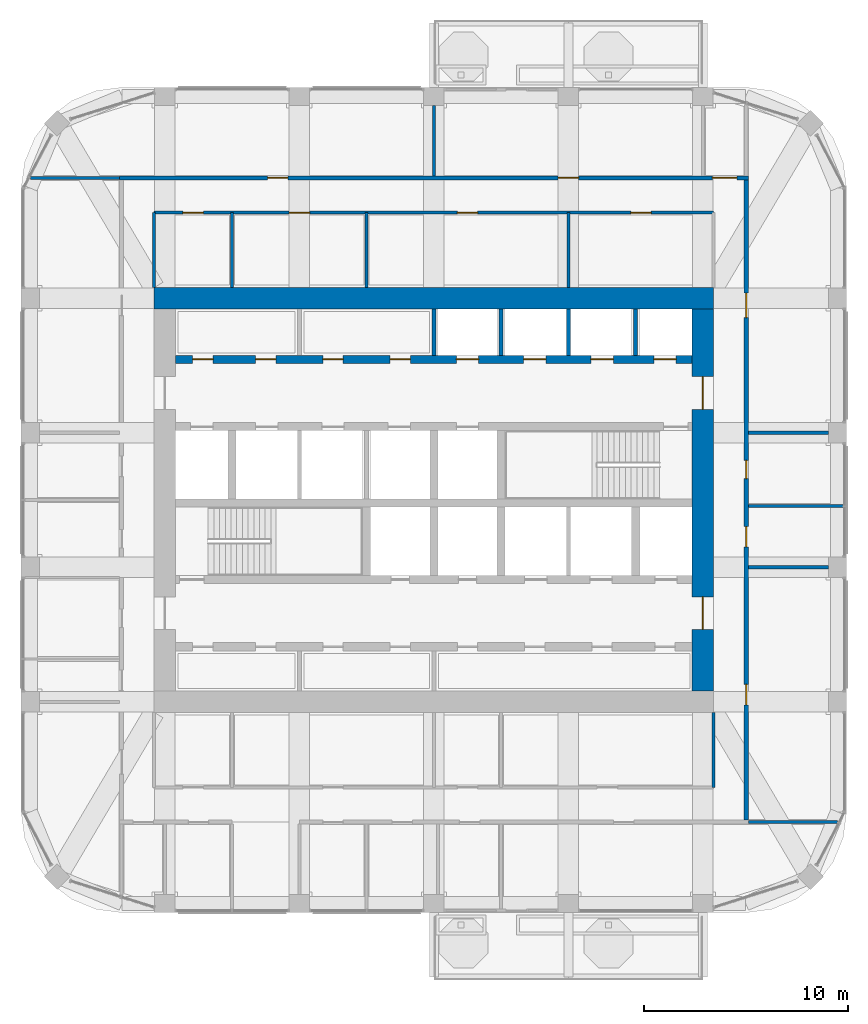
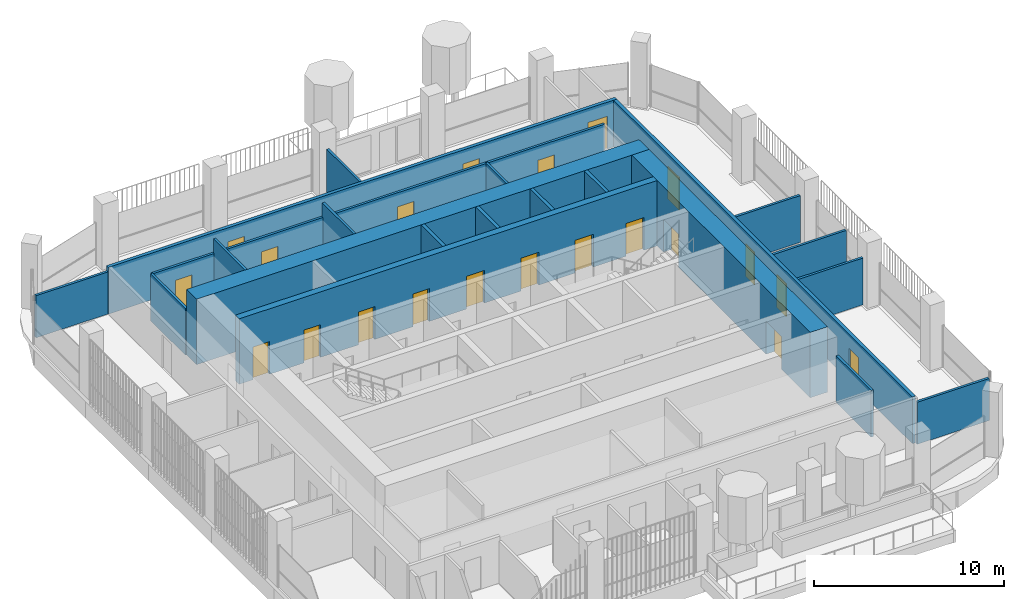
# One storey, part 16 of 21: 21 doors, 21 walls, 21 openings.
"""IFC4 building model written with IfcOpenShell, lengths in metres."""

from ifc_helpers import new_model, si_unit, direction, frame, frame_2d, origin, place, context, subcontext, project, spatial, rectangle, extrude, material, layer, layer_set, type_object, element, fill, save


model = new_model("IFC4")

# Units and contexts
model_context = context("Model", 3, precision=1e-05, world=origin(), true_north=direction((0.0, 1.0)))
body_context = subcontext(model_context, "Body", "Model", "MODEL_VIEW")
ifc_project = project(units=[si_unit("LENGTHUNIT", "METRE"), si_unit("AREAUNIT", "SQUARE_METRE"), si_unit("VOLUMEUNIT", "CUBIC_METRE"), si_unit("PLANEANGLEUNIT", "RADIAN"), si_unit("MASSUNIT", "GRAM", prefix="KILO")], contexts=[model_context])

# Site, building, storey
site_placement = place(None, origin())
site = spatial("IfcSite", under=ifc_project, at=site_placement, CompositionType="ELEMENT")
building_placement = place(site_placement, origin())
building = spatial("IfcBuilding", under=site, at=building_placement, Name="Cobogo Forest Laboratory Tower", CompositionType="ELEMENT")
storey_placement = place(building_placement, frame((0.0, 0.0, 258.60009765625)))
storey = spatial("IfcBuildingStorey", under=building, at=storey_placement, Name="L59", CompositionType="ELEMENT", Elevation=258.60009765625)

# Wall, openings, doors
ifc_material_1 = material(Name="Concrete HA-50 (C50/60)", Category="concrete")
ifc_layer_1 = layer(ifc_material_1, 0.39990234375)
ifc_layer_set_1 = layer_set([ifc_layer_1], Name="CI400 core inner wall 400")
wall_type_1 = type_object("IfcWallType", Name="CI400 core inner wall 400", PredefinedType="SHEAR", material=ifc_layer_set_1)
wall_1_placement = place(storey_placement, frame((13.72509765625, 30.0, 0.0), z_axis=(0.0, 0.0, 1.0), x_axis=(1.0, 0.0, 0.0)))
wall_1 = element("IfcWall", 1, at=wall_1_placement, inside=storey, type_object=wall_type_1, Name="Core wall CI-30.0 L59", PredefinedType="SHEAR", context=body_context, shape_type="SweptSolid", body=[
    extrude(rectangle(XDim=25.349853515625, YDim=0.39990234375, at=frame_2d((12.6748046875, 0.0))), origin(), (0.0, 0.0, 1.0), 4.199951171875),
])
opening_1_placement = place(wall_1_placement, frame((0.83740234375, 0.0, 0.0)))
opening_1 = element("IfcOpeningElement", 2, at=opening_1_placement, cuts=wall_1, Name="Opening L59-D36", PredefinedType="OPENING", context=body_context, shape_type="SweptSolid", body=[
    extrude(rectangle(XDim=1.0, YDim=2.10009765625, at=frame_2d((0.5, 1.050048828125))), frame((0.0, 0.2099609375, 0.0), z_axis=(0.0, -1.0, 0.0), x_axis=(1.0, 0.0, 0.0)), (0.0, 0.0, 1.0), 0.419921875),
])
opening_2_placement = place(wall_1_placement, frame((3.925048828125, 0.0, 0.0)))
opening_2 = element("IfcOpeningElement", 3, at=opening_2_placement, cuts=wall_1, Name="Opening L59-D37", PredefinedType="OPENING", context=body_context, shape_type="SweptSolid", body=[
    extrude(rectangle(XDim=1.0, YDim=2.10009765625, at=frame_2d((0.5, 1.050048828125))), frame((0.0, 0.2099609375, 0.0), z_axis=(0.0, -1.0, 0.0), x_axis=(1.0, 0.0, 0.0)), (0.0, 0.0, 1.0), 0.419921875),
])
opening_3_placement = place(wall_1_placement, frame((7.22509765625, 0.0, 0.0)))
opening_3 = element("IfcOpeningElement", 4, at=opening_3_placement, cuts=wall_1, Name="Opening L59-D38", PredefinedType="OPENING", context=body_context, shape_type="SweptSolid", body=[
    extrude(rectangle(XDim=1.0, YDim=2.10009765625, at=frame_2d((0.5, 1.050048828125))), frame((0.0, 0.2099609375, 0.0), z_axis=(0.0, -1.0, 0.0), x_axis=(1.0, 0.0, 0.0)), (0.0, 0.0, 1.0), 0.419921875),
])
opening_4_placement = place(wall_1_placement, frame((10.52490234375, 0.0, 0.0)))
opening_4 = element("IfcOpeningElement", 5, at=opening_4_placement, cuts=wall_1, Name="Opening L59-D39", PredefinedType="OPENING", context=body_context, shape_type="SweptSolid", body=[
    extrude(rectangle(XDim=1.0, YDim=2.10009765625, at=frame_2d((0.5, 1.050048828125))), frame((0.0, 0.2099609375, 0.0), z_axis=(0.0, -1.0, 0.0), x_axis=(1.0, 0.0, 0.0)), (0.0, 0.0, 1.0), 0.419921875),
])
opening_5_placement = place(wall_1_placement, frame((13.77490234375, 0.0, 0.0)))
opening_5 = element("IfcOpeningElement", 6, at=opening_5_placement, cuts=wall_1, Name="Opening L59-LD-LD1", PredefinedType="OPENING", context=body_context, shape_type="SweptSolid", body=[
    extrude(rectangle(XDim=1.10009765625, YDim=2.10009765625, at=frame_2d((0.550048828125, 1.050048828125))), frame((0.0, 0.2099609375, 0.0), z_axis=(0.0, -1.0, 0.0), x_axis=(1.0, 0.0, 0.0)), (0.0, 0.0, 1.0), 0.419921875),
])
opening_6_placement = place(wall_1_placement, frame((17.074951171875, 0.0, 0.0)))
opening_6 = element("IfcOpeningElement", 7, at=opening_6_placement, cuts=wall_1, Name="Opening L59-LD-LD2", PredefinedType="OPENING", context=body_context, shape_type="SweptSolid", body=[
    extrude(rectangle(XDim=1.10009765625, YDim=2.10009765625, at=frame_2d((0.550048828125, 1.050048828125))), frame((0.0, 0.2099609375, 0.0), z_axis=(0.0, -1.0, 0.0), x_axis=(1.0, 0.0, 0.0)), (0.0, 0.0, 1.0), 0.419921875),
])
opening_7_placement = place(wall_1_placement, frame((20.375, 0.0, 0.0)))
opening_7 = element("IfcOpeningElement", 8, at=opening_7_placement, cuts=wall_1, Name="Opening L59-LD-LD3", PredefinedType="OPENING", context=body_context, shape_type="SweptSolid", body=[
    extrude(rectangle(XDim=1.10009765625, YDim=2.10009765625, at=frame_2d((0.550048828125, 1.050048828125))), frame((0.0, 0.2099609375, 0.0), z_axis=(0.0, -1.0, 0.0), x_axis=(1.0, 0.0, 0.0)), (0.0, 0.0, 1.0), 0.419921875),
])
opening_8_placement = place(wall_1_placement, frame((23.46240234375, 0.0, 0.0)))
opening_8 = element("IfcOpeningElement", 9, at=opening_8_placement, cuts=wall_1, Name="Opening L59-LD-LD4", PredefinedType="OPENING", context=body_context, shape_type="SweptSolid", body=[
    extrude(rectangle(XDim=1.10009765625, YDim=2.10009765625, at=frame_2d((0.550048828125, 1.050048828125))), frame((0.0, 0.2099609375, 0.0), z_axis=(0.0, -1.0, 0.0), x_axis=(1.0, 0.0, 0.0)), (0.0, 0.0, 1.0), 0.419921875),
])
ifc_material_2 = material(Name="Steel fire door", Category="steel")
door_type_1 = type_object("IfcDoorType", Name="FD1 fire door 1000 EI2 60", OperationType="SINGLE_SWING_LEFT", PredefinedType="DOOR", material=ifc_material_2)
door_1_placement = place(opening_1_placement, origin())
door_1 = element("IfcDoor", 10, at=door_1_placement, inside=storey, type_object=door_type_1, Name="Door L59-SH-LC1", OperationType="SINGLE_SWING_LEFT", OverallHeight=2.10009765625, OverallWidth=1.0, PredefinedType="DOOR", context=body_context, shape_type="SweptSolid", body=[
    extrude(rectangle(XDim=1.0, YDim=2.10009765625, at=frame_2d((0.5, 1.050048828125))), frame((0.0, 0.02490234375, 0.0), z_axis=(0.0, -1.0, 0.0), x_axis=(1.0, 0.0, 0.0)), (0.0, 0.0, 1.0), 0.050048828125),
])
fill(opening_1, door_1)
door_2_placement = place(opening_2_placement, origin())
door_2 = element("IfcDoor", 11, at=door_2_placement, inside=storey, type_object=door_type_1, Name="Door L59-SH-LC2", OperationType="SINGLE_SWING_LEFT", OverallHeight=2.10009765625, OverallWidth=1.0, PredefinedType="DOOR", context=body_context, shape_type="SweptSolid", body=[
    extrude(rectangle(XDim=1.0, YDim=2.10009765625, at=frame_2d((0.5, 1.050048828125))), frame((0.0, 0.02490234375, 0.0), z_axis=(0.0, -1.0, 0.0), x_axis=(1.0, 0.0, 0.0)), (0.0, 0.0, 1.0), 0.050048828125),
])
fill(opening_2, door_2)
door_3_placement = place(opening_3_placement, origin())
door_3 = element("IfcDoor", 12, at=door_3_placement, inside=storey, type_object=door_type_1, Name="Door L59-SH-LC3", OperationType="SINGLE_SWING_LEFT", OverallHeight=2.10009765625, OverallWidth=1.0, PredefinedType="DOOR", context=body_context, shape_type="SweptSolid", body=[
    extrude(rectangle(XDim=1.0, YDim=2.10009765625, at=frame_2d((0.5, 1.050048828125))), frame((0.0, 0.02490234375, 0.0), z_axis=(0.0, -1.0, 0.0), x_axis=(1.0, 0.0, 0.0)), (0.0, 0.0, 1.0), 0.050048828125),
])
fill(opening_3, door_3)
door_4_placement = place(opening_4_placement, origin())
door_4 = element("IfcDoor", 13, at=door_4_placement, inside=storey, type_object=door_type_1, Name="Door L59-SH-LC4", OperationType="SINGLE_SWING_LEFT", OverallHeight=2.10009765625, OverallWidth=1.0, PredefinedType="DOOR", context=body_context, shape_type="SweptSolid", body=[
    extrude(rectangle(XDim=1.0, YDim=2.10009765625, at=frame_2d((0.5, 1.050048828125))), frame((0.0, 0.02490234375, 0.0), z_axis=(0.0, -1.0, 0.0), x_axis=(1.0, 0.0, 0.0)), (0.0, 0.0, 1.0), 0.050048828125),
])
fill(opening_4, door_4)
ifc_material_3 = material(Name="Stainless steel lift door", Category="steel")
door_type_2 = type_object("IfcDoorType", Name="LD lift landing door 1100", OperationType="DOUBLE_DOOR_SLIDING", PredefinedType="DOOR", material=ifc_material_3)
door_5_placement = place(opening_5_placement, origin())
door_5 = element("IfcDoor", 14, at=door_5_placement, inside=storey, type_object=door_type_2, Name="Lift landing door LD1 L59", OperationType="DOUBLE_DOOR_SLIDING", OverallHeight=2.10009765625, OverallWidth=1.10009765625, PredefinedType="DOOR", context=body_context, shape_type="SweptSolid", body=[
    extrude(rectangle(XDim=1.10009765625, YDim=2.10009765625, at=frame_2d((0.550048828125, 1.050048828125))), frame((0.0, 0.02490234375, 0.0), z_axis=(0.0, -1.0, 0.0), x_axis=(1.0, 0.0, 0.0)), (0.0, 0.0, 1.0), 0.050048828125),
])
fill(opening_5, door_5)
door_6_placement = place(opening_6_placement, origin())
door_6 = element("IfcDoor", 15, at=door_6_placement, inside=storey, type_object=door_type_2, Name="Lift landing door LD2 L59", OperationType="DOUBLE_DOOR_SLIDING", OverallHeight=2.10009765625, OverallWidth=1.10009765625, PredefinedType="DOOR", context=body_context, shape_type="SweptSolid", body=[
    extrude(rectangle(XDim=1.10009765625, YDim=2.10009765625, at=frame_2d((0.550048828125, 1.050048828125))), frame((0.0, 0.02490234375, 0.0), z_axis=(0.0, -1.0, 0.0), x_axis=(1.0, 0.0, 0.0)), (0.0, 0.0, 1.0), 0.050048828125),
])
fill(opening_6, door_6)
door_7_placement = place(opening_7_placement, origin())
door_7 = element("IfcDoor", 16, at=door_7_placement, inside=storey, type_object=door_type_2, Name="Lift landing door LD3 L59", OperationType="DOUBLE_DOOR_SLIDING", OverallHeight=2.10009765625, OverallWidth=1.10009765625, PredefinedType="DOOR", context=body_context, shape_type="SweptSolid", body=[
    extrude(rectangle(XDim=1.10009765625, YDim=2.10009765625, at=frame_2d((0.550048828125, 1.050048828125))), frame((0.0, 0.02490234375, 0.0), z_axis=(0.0, -1.0, 0.0), x_axis=(1.0, 0.0, 0.0)), (0.0, 0.0, 1.0), 0.050048828125),
])
fill(opening_7, door_7)
door_8_placement = place(opening_8_placement, origin())
door_8 = element("IfcDoor", 17, at=door_8_placement, inside=storey, type_object=door_type_2, Name="Lift landing door LD4 L59", OperationType="DOUBLE_DOOR_SLIDING", OverallHeight=2.10009765625, OverallWidth=1.10009765625, PredefinedType="DOOR", context=body_context, shape_type="SweptSolid", body=[
    extrude(rectangle(XDim=1.10009765625, YDim=2.10009765625, at=frame_2d((0.550048828125, 1.050048828125))), frame((0.0, 0.02490234375, 0.0), z_axis=(0.0, -1.0, 0.0), x_axis=(1.0, 0.0, 0.0)), (0.0, 0.0, 1.0), 0.050048828125),
])
fill(opening_8, door_8)

ifc_layer_2 = layer(ifc_material_1, 1.050048828125)
ifc_layer_set_2 = layer_set([ifc_layer_2], Name="CW1050 core outer wall 1050")
wall_type_2 = type_object("IfcWallType", Name="CW1050 core outer wall 1050", PredefinedType="SHEAR", material=ifc_layer_set_2)
wall_2_placement = place(storey_placement, frame((39.60009765625, 13.72509765625, 0.0), z_axis=(0.0, 0.0, 1.0), x_axis=(0.0, 1.0, 0.0)))
wall_2 = element("IfcWall", 18, at=wall_2_placement, inside=storey, type_object=wall_type_2, Name="Core wall CO-E L59", PredefinedType="SHEAR", context=body_context, shape_type="SweptSolid", body=[
    extrude(rectangle(XDim=18.75, YDim=1.050048828125, at=frame_2d((9.375, 0.0))), origin(), (0.0, 0.0, 1.0), 4.199951171875),
])
opening_9_placement = place(wall_2_placement, frame((3.02490234375, 0.0, 0.0)))
opening_9 = element("IfcOpeningElement", 19, at=opening_9_placement, cuts=wall_2, Name="Opening L59-D25", PredefinedType="OPENING", context=body_context, shape_type="SweptSolid", body=[
    extrude(rectangle(XDim=1.60009765625, YDim=2.10009765625, at=frame_2d((0.800048828125, 1.050048828125))), frame((0.0, 0.534912109375, 0.0), z_axis=(0.0, -1.0, 0.0), x_axis=(1.0, 0.0, 0.0)), (0.0, 0.0, 1.0), 1.070068359375),
])
opening_10_placement = place(wall_2_placement, frame((13.824951171875, 0.0, 0.0)))
opening_10 = element("IfcOpeningElement", 20, at=opening_10_placement, cuts=wall_2, Name="Opening L59-D35", PredefinedType="OPENING", context=body_context, shape_type="SweptSolid", body=[
    extrude(rectangle(XDim=1.60009765625, YDim=2.10009765625, at=frame_2d((0.800048828125, 1.050048828125))), frame((0.0, 0.534912109375, 0.0), z_axis=(0.0, -1.0, 0.0), x_axis=(1.0, 0.0, 0.0)), (0.0, 0.0, 1.0), 1.070068359375),
])
door_type_3 = type_object("IfcDoorType", Name="DS2 protected lobby door pair 1600 EI2 60", OperationType="DOUBLE_DOOR_DOUBLE_SWING", PredefinedType="DOOR", material=ifc_material_2)
door_9_placement = place(opening_9_placement, origin())
door_9 = element("IfcDoor", 21, at=door_9_placement, inside=storey, type_object=door_type_3, Name="Door L59-CO-E-S", OperationType="DOUBLE_DOOR_DOUBLE_SWING", OverallHeight=2.10009765625, OverallWidth=1.60009765625, PredefinedType="DOOR", context=body_context, shape_type="SweptSolid", body=[
    extrude(rectangle(XDim=1.60009765625, YDim=2.10009765625, at=frame_2d((0.800048828125, 1.050048828125))), frame((0.0, 0.02490234375, 0.0), z_axis=(0.0, -1.0, 0.0), x_axis=(1.0, 0.0, 0.0)), (0.0, 0.0, 1.0), 0.050048828125),
])
fill(opening_9, door_9)
door_10_placement = place(opening_10_placement, origin())
door_10 = element("IfcDoor", 22, at=door_10_placement, inside=storey, type_object=door_type_3, Name="Door L59-CO-E-N", OperationType="DOUBLE_DOOR_DOUBLE_SWING", OverallHeight=2.10009765625, OverallWidth=1.60009765625, PredefinedType="DOOR", context=body_context, shape_type="SweptSolid", body=[
    extrude(rectangle(XDim=1.60009765625, YDim=2.10009765625, at=frame_2d((0.800048828125, 1.050048828125))), frame((0.0, 0.02490234375, 0.0), z_axis=(0.0, -1.0, 0.0), x_axis=(1.0, 0.0, 0.0)), (0.0, 0.0, 1.0), 0.050048828125),
])
fill(opening_10, door_10)

# Wall
wall_3_placement = place(storey_placement, frame((40.125, 33.0, 0.0), z_axis=(0.0, 0.0, 1.0), x_axis=(-1.0, 0.0, 0.0)))
element("IfcWall", 23, at=wall_3_placement, inside=storey, type_object=wall_type_2, Name="Core wall CO-N L59", PredefinedType="SHEAR", context=body_context, shape_type="SweptSolid", body=[
    extrude(rectangle(XDim=27.449951171875, YDim=1.050048828125, at=frame_2d((13.72509765625, 0.0))), origin(), (0.0, 0.0, 1.0), 4.199951171875),
])

# Wall, openings, doors
ifc_material_4 = material(Name="Gypsum board on steel studs", Category="steel")
ifc_layer_3 = layer(ifc_material_4, 0.14990234375)
ifc_layer_set_3 = layer_set([ifc_layer_3], Name="PT1 laboratory partition 150")
wall_type_3 = type_object("IfcWallType", Name="PT1 laboratory partition 150", PredefinedType="PARTITIONING", material=ifc_layer_set_3)
wall_4_placement = place(storey_placement, frame((12.675048828125, 37.199951171875, 0.0), z_axis=(0.0, 0.0, 1.0), x_axis=(1.0, 0.0, 0.0)))
wall_4 = element("IfcWall", 24, at=wall_4_placement, inside=storey, type_object=wall_type_3, Name="Partition CSTRIP-N L59", PredefinedType="PARTITIONING", context=body_context, shape_type="SweptSolid", body=[
    extrude(rectangle(XDim=27.449951171875, YDim=0.14990234375, at=frame_2d((13.72509765625, 0.0))), origin(), (0.0, 0.0, 1.0), 3.0),
])
opening_11_placement = place(wall_4_placement, frame((1.41259765625, 0.0, 0.0)))
opening_11 = element("IfcOpeningElement", 25, at=opening_11_placement, cuts=wall_4, Name="Opening L59-D42", PredefinedType="OPENING", context=body_context, shape_type="SweptSolid", body=[
    extrude(rectangle(XDim=1.0, YDim=2.10009765625, at=frame_2d((0.5, 1.050048828125))), frame((0.0, 0.0849609375, 0.0), z_axis=(0.0, -1.0, 0.0), x_axis=(1.0, 0.0, 0.0)), (0.0, 0.0, 1.0), 0.169921875),
])
opening_12_placement = place(wall_4_placement, frame((6.625, 0.0, 0.0)))
opening_12 = element("IfcOpeningElement", 26, at=opening_12_placement, cuts=wall_4, Name="Opening L59-D43", PredefinedType="OPENING", context=body_context, shape_type="SweptSolid", body=[
    extrude(rectangle(XDim=1.0, YDim=2.10009765625, at=frame_2d((0.5, 1.050048828125))), frame((0.0, 0.0849609375, 0.0), z_axis=(0.0, -1.0, 0.0), x_axis=(1.0, 0.0, 0.0)), (0.0, 0.0, 1.0), 0.169921875),
])
opening_13_placement = place(wall_4_placement, frame((14.875, 0.0, 0.0)))
opening_13 = element("IfcOpeningElement", 27, at=opening_13_placement, cuts=wall_4, Name="Opening L59-D44", PredefinedType="OPENING", context=body_context, shape_type="SweptSolid", body=[
    extrude(rectangle(XDim=1.0, YDim=2.10009765625, at=frame_2d((0.5, 1.050048828125))), frame((0.0, 0.0849609375, 0.0), z_axis=(0.0, -1.0, 0.0), x_axis=(1.0, 0.0, 0.0)), (0.0, 0.0, 1.0), 0.169921875),
])
opening_14_placement = place(wall_4_placement, frame((23.387451171875, 0.0, 0.0)))
opening_14 = element("IfcOpeningElement", 28, at=opening_14_placement, cuts=wall_4, Name="Opening L59-D45", PredefinedType="OPENING", context=body_context, shape_type="SweptSolid", body=[
    extrude(rectangle(XDim=1.0, YDim=2.10009765625, at=frame_2d((0.5, 1.050048828125))), frame((0.0, 0.0849609375, 0.0), z_axis=(0.0, -1.0, 0.0), x_axis=(1.0, 0.0, 0.0)), (0.0, 0.0, 1.0), 0.169921875),
])
ifc_material_5 = material(Name="Timber fire door", Category="wood")
door_type_4 = type_object("IfcDoorType", Name="FD2 fire door 1000 EI2 30", OperationType="SINGLE_SWING_LEFT", PredefinedType="DOOR", material=ifc_material_5)
door_11_placement = place(opening_11_placement, origin())
door_11 = element("IfcDoor", 29, at=door_11_placement, inside=storey, type_object=door_type_4, Name="Door L59-CSN1", OperationType="SINGLE_SWING_LEFT", OverallHeight=2.10009765625, OverallWidth=1.0, PredefinedType="DOOR", context=body_context, shape_type="SweptSolid", body=[
    extrude(rectangle(XDim=1.0, YDim=2.10009765625, at=frame_2d((0.5, 1.050048828125))), frame((0.0, 0.02490234375, 0.0), z_axis=(0.0, -1.0, 0.0), x_axis=(1.0, 0.0, 0.0)), (0.0, 0.0, 1.0), 0.050048828125),
])
fill(opening_11, door_11)
door_12_placement = place(opening_12_placement, origin())
door_12 = element("IfcDoor", 30, at=door_12_placement, inside=storey, type_object=door_type_4, Name="Door L59-CSN2", OperationType="SINGLE_SWING_LEFT", OverallHeight=2.10009765625, OverallWidth=1.0, PredefinedType="DOOR", context=body_context, shape_type="SweptSolid", body=[
    extrude(rectangle(XDim=1.0, YDim=2.10009765625, at=frame_2d((0.5, 1.050048828125))), frame((0.0, 0.02490234375, 0.0), z_axis=(0.0, -1.0, 0.0), x_axis=(1.0, 0.0, 0.0)), (0.0, 0.0, 1.0), 0.050048828125),
])
fill(opening_12, door_12)
door_13_placement = place(opening_13_placement, origin())
door_13 = element("IfcDoor", 31, at=door_13_placement, inside=storey, type_object=door_type_4, Name="Door L59-CSN3", OperationType="SINGLE_SWING_RIGHT", OverallHeight=2.10009765625, OverallWidth=1.0, PredefinedType="DOOR", context=body_context, shape_type="SweptSolid", body=[
    extrude(rectangle(XDim=1.0, YDim=2.10009765625, at=frame_2d((0.5, 1.050048828125))), frame((0.0, 0.02490234375, 0.0), z_axis=(0.0, -1.0, 0.0), x_axis=(1.0, 0.0, 0.0)), (0.0, 0.0, 1.0), 0.050048828125),
])
fill(opening_13, door_13)
door_14_placement = place(opening_14_placement, origin())
door_14 = element("IfcDoor", 32, at=door_14_placement, inside=storey, type_object=door_type_4, Name="Door L59-CSN4", OperationType="SINGLE_SWING_RIGHT", OverallHeight=2.10009765625, OverallWidth=1.0, PredefinedType="DOOR", context=body_context, shape_type="SweptSolid", body=[
    extrude(rectangle(XDim=1.0, YDim=2.10009765625, at=frame_2d((0.5, 1.050048828125))), frame((0.0, 0.02490234375, 0.0), z_axis=(0.0, -1.0, 0.0), x_axis=(1.0, 0.0, 0.0)), (0.0, 0.0, 1.0), 0.050048828125),
])
fill(opening_14, door_14)

# Walls
wall_5_placement = place(storey_placement, frame((12.675048828125, 33.52490234375, 0.0), z_axis=(0.0, 0.0, 1.0), x_axis=(0.0, 1.0, 0.0)))
element("IfcWall", 33, at=wall_5_placement, inside=storey, type_object=wall_type_3, Name="Partition CSTRIP-NW L59", PredefinedType="PARTITIONING", context=body_context, shape_type="SweptSolid", body=[
    extrude(rectangle(XDim=3.675048828125, YDim=0.14990234375, at=frame_2d((1.83740234375, 0.0))), origin(), (0.0, 0.0, 1.0), 3.0),
])
for number, where, z_axis, x_axis, name in (
    (34, (16.5, 33.52490234375, 0.0), (0.0, 0.0, 1.0), (0.0, 1.0, 0.0), "Partition CSTRIP-N16.5 L59"),
    (35, (23.10009765625, 33.52490234375, 0.0), (0.0, 0.0, 1.0), (0.0, 1.0, 0.0), "Partition CSTRIP-N23.1 L59"),
):
    element("IfcWall", number, at=place(storey_placement, frame(where, z_axis=z_axis, x_axis=x_axis)), inside=storey, type_object=wall_type_3, Name=name, PredefinedType="PARTITIONING", context=body_context, shape_type="SweptSolid", body=[
        extrude(rectangle(XDim=3.675048828125, YDim=0.14990234375, at=frame_2d((1.83740234375, 0.0))), origin(), (0.0, 0.0, 1.0), 3.89990234375),
    ])
for number, where, z_axis, x_axis, name in (
    (36, (33.0, 33.52490234375, 0.0), (0.0, 0.0, 1.0), (0.0, 1.0, 0.0), "Partition CSTRIP-N33 L59"),
    (37, (40.125, 12.675048828125, 0.0), (0.0, 0.0, 1.0), (0.0, -1.0, 0.0), "Partition CSTRIP-SE L59"),
):
    element("IfcWall", number, at=place(storey_placement, frame(where, z_axis=z_axis, x_axis=x_axis)), inside=storey, type_object=wall_type_3, Name=name, PredefinedType="PARTITIONING", context=body_context, shape_type="SweptSolid", body=[
        extrude(rectangle(XDim=3.675048828125, YDim=0.14990234375, at=frame_2d((1.83740234375, 0.0))), origin(), (0.0, 0.0, 1.0), 3.0),
    ])
for number, where, z_axis, x_axis, name in (
    (38, (46.197509765625, 7.300048828125, 0.0), (0.0, 0.0, 1.0), (-1.0, 0.0, 0.0), "Partition PW-SE L59"),
    (39, (6.6025390625, 38.89990234375, 0.0), (0.0, 0.0, 1.0), (1.0, 0.0, 0.0), "Partition PW-NW L59"),
):
    element("IfcWall", number, at=place(storey_placement, frame(where, z_axis=z_axis, x_axis=x_axis)), inside=storey, type_object=wall_type_3, Name=name, PredefinedType="PARTITIONING", context=body_context, shape_type="SweptSolid", body=[
        extrude(rectangle(XDim=4.37255859375, YDim=0.14990234375, at=frame_2d((2.186279296875, 0.0))), origin(), (0.0, 0.0, 1.0), 2.699951171875),
    ])
wall_6_placement = place(storey_placement, frame((46.469970703125, 22.800048828125, 0.0), z_axis=(0.0, 0.0, 1.0), x_axis=(-1.0, 0.0, 0.0)))
element("IfcWall", 40, at=wall_6_placement, inside=storey, type_object=wall_type_3, Name="Partition SVC-E1-1 L59", PredefinedType="PARTITIONING", context=body_context, shape_type="SweptSolid", body=[
    extrude(rectangle(XDim=4.64501953125, YDim=0.14990234375, at=frame_2d((2.322509765625, 0.0))), origin(), (0.0, 0.0, 1.0), 2.699951171875),
])
for number, where, z_axis, x_axis, name in (
    (41, (45.75, 26.39990234375, 0.0), (0.0, 0.0, 1.0), (-1.0, 0.0, 0.0), "Partition SVC-E2-1 L59"),
    (42, (45.75, 19.800048828125, 0.0), (0.0, 0.0, 1.0), (-1.0, 0.0, 0.0), "Partition CUT-E19.8-1 L59"),
):
    element("IfcWall", number, at=place(storey_placement, frame(where, z_axis=z_axis, x_axis=x_axis)), inside=storey, type_object=wall_type_3, Name=name, PredefinedType="PARTITIONING", context=body_context, shape_type="SweptSolid", body=[
        extrude(rectangle(XDim=3.925048828125, YDim=0.14990234375, at=frame_2d((1.96240234375, 0.0))), origin(), (0.0, 0.0, 1.0), 3.0),
    ])
wall_7_placement = place(storey_placement, frame((26.39990234375, 42.449951171875, 0.0), z_axis=(0.0, 0.0, 1.0), x_axis=(0.0, -1.0, 0.0)))
element("IfcWall", 43, at=wall_7_placement, inside=storey, type_object=wall_type_3, Name="Partition CUT-N26.4-1 L59", PredefinedType="PARTITIONING", context=body_context, shape_type="SweptSolid", body=[
    extrude(rectangle(XDim=3.449951171875, YDim=0.14990234375, at=frame_2d((1.72509765625, 0.0))), origin(), (0.0, 0.0, 1.0), 3.0),
])

# Wall, openings, doors
ifc_layer_4 = layer(ifc_material_4, 0.199951171875)
ifc_layer_set_4 = layer_set([ifc_layer_4], Name="PT2 fire-rated corridor partition 200")
wall_type_4 = type_object("IfcWallType", Name="PT2 fire-rated corridor partition 200", PredefinedType="PARTITIONING", material=ifc_layer_set_4)
wall_8_placement = place(storey_placement, frame((10.97509765625, 38.89990234375, 0.0), z_axis=(0.0, 0.0, 1.0), x_axis=(1.0, 0.0, 0.0)))
wall_8 = element("IfcWall", 44, at=wall_8_placement, inside=storey, type_object=wall_type_4, Name="Partition CORR-N L59", PredefinedType="PARTITIONING", context=body_context, shape_type="SweptSolid", body=[
    extrude(rectangle(XDim=30.849853515625, YDim=0.199951171875, at=frame_2d((15.4248046875, 0.0))), origin(), (0.0, 0.0, 1.0), 3.0),
])
opening_15_placement = place(wall_8_placement, frame((7.262451171875, 0.0, 0.0)))
opening_15 = element("IfcOpeningElement", 45, at=opening_15_placement, cuts=wall_8, Name="Opening L59-D46", PredefinedType="OPENING", context=body_context, shape_type="SweptSolid", body=[
    extrude(rectangle(XDim=1.0, YDim=2.10009765625, at=frame_2d((0.5, 1.050048828125))), frame((0.0, 0.10986328125, 0.0), z_axis=(0.0, -1.0, 0.0), x_axis=(1.0, 0.0, 0.0)), (0.0, 0.0, 1.0), 0.219970703125),
])
opening_16_placement = place(wall_8_placement, frame((21.52490234375, 0.0, 0.0)))
opening_16 = element("IfcOpeningElement", 46, at=opening_16_placement, cuts=wall_8, Name="Opening L59-D47", PredefinedType="OPENING", context=body_context, shape_type="SweptSolid", body=[
    extrude(rectangle(XDim=1.0, YDim=2.10009765625, at=frame_2d((0.5, 1.050048828125))), frame((0.0, 0.10986328125, 0.0), z_axis=(0.0, -1.0, 0.0), x_axis=(1.0, 0.0, 0.0)), (0.0, 0.0, 1.0), 0.219970703125),
])
opening_17_placement = place(wall_8_placement, frame((29.08740234375, 0.0, 0.0)))
opening_17 = element("IfcOpeningElement", 47, at=opening_17_placement, cuts=wall_8, Name="Opening L59-D48", PredefinedType="OPENING", context=body_context, shape_type="SweptSolid", body=[
    extrude(rectangle(XDim=1.199951171875, YDim=2.10009765625, at=frame_2d((0.60009765625, 1.050048828125))), frame((0.0, 0.10986328125, 0.0), z_axis=(0.0, -1.0, 0.0), x_axis=(1.0, 0.0, 0.0)), (0.0, 0.0, 1.0), 0.219970703125),
])
ifc_material_6 = material(Name="Timber door", Category="wood")
door_type_5 = type_object("IfcDoorType", Name="D2 laboratory door 1200 unequal pair", OperationType="DOUBLE_DOOR_SINGLE_SWING", PredefinedType="DOOR", material=ifc_material_6)
door_15_placement = place(opening_17_placement, origin())
door_15 = element("IfcDoor", 48, at=door_15_placement, inside=storey, type_object=door_type_5, Name="Door L59-N3", OperationType="DOUBLE_DOOR_SINGLE_SWING", OverallHeight=2.10009765625, OverallWidth=1.199951171875, PredefinedType="DOOR", context=body_context, shape_type="SweptSolid", body=[
    extrude(rectangle(XDim=1.199951171875, YDim=2.10009765625, at=frame_2d((0.60009765625, 1.050048828125))), frame((0.0, 0.02490234375, 0.0), z_axis=(0.0, -1.0, 0.0), x_axis=(1.0, 0.0, 0.0)), (0.0, 0.0, 1.0), 0.050048828125),
])
fill(opening_17, door_15)
door_16_placement = place(opening_15_placement, origin())
door_16 = element("IfcDoor", 49, at=door_16_placement, inside=storey, type_object=door_type_4, Name="Door L59-N1", OperationType="SINGLE_SWING_LEFT", OverallHeight=2.10009765625, OverallWidth=1.0, PredefinedType="DOOR", context=body_context, shape_type="SweptSolid", body=[
    extrude(rectangle(XDim=1.0, YDim=2.10009765625, at=frame_2d((0.5, 1.050048828125))), frame((0.0, 0.02490234375, 0.0), z_axis=(0.0, -1.0, 0.0), x_axis=(1.0, 0.0, 0.0)), (0.0, 0.0, 1.0), 0.050048828125),
])
fill(opening_15, door_16)
door_17_placement = place(opening_16_placement, origin())
door_17 = element("IfcDoor", 50, at=door_17_placement, inside=storey, type_object=door_type_4, Name="Door L59-N2", OperationType="SINGLE_SWING_RIGHT", OverallHeight=2.10009765625, OverallWidth=1.0, PredefinedType="DOOR", context=body_context, shape_type="SweptSolid", body=[
    extrude(rectangle(XDim=1.0, YDim=2.10009765625, at=frame_2d((0.5, 1.050048828125))), frame((0.0, 0.02490234375, 0.0), z_axis=(0.0, -1.0, 0.0), x_axis=(1.0, 0.0, 0.0)), (0.0, 0.0, 1.0), 0.050048828125),
])
fill(opening_16, door_17)

wall_9_placement = place(storey_placement, frame((41.72509765625, 7.39990234375, 0.0), z_axis=(0.0, 0.0, 1.0), x_axis=(0.0, 1.0, 0.0)))
wall_9 = element("IfcWall", 51, at=wall_9_placement, inside=storey, type_object=wall_type_4, Name="Partition CORR-E L59", PredefinedType="PARTITIONING", context=body_context, shape_type="SweptSolid", body=[
    extrude(rectangle(XDim=31.400146484375, YDim=0.199951171875, at=frame_2d((15.7001953125, 0.0))), origin(), (0.0, 0.0, 1.0), 3.0),
])
opening_18_placement = place(wall_9_placement, frame((5.64990234375, 0.0, 0.0)))
opening_18 = element("IfcOpeningElement", 52, at=opening_18_placement, cuts=wall_9, Name="Opening L59-D13", PredefinedType="OPENING", context=body_context, shape_type="SweptSolid", body=[
    extrude(rectangle(XDim=1.0, YDim=2.10009765625, at=frame_2d((0.5, 1.050048828125))), frame((0.0, 0.10986328125, 0.0), z_axis=(0.0, -1.0, 0.0), x_axis=(1.0, 0.0, 0.0)), (0.0, 0.0, 1.0), 0.219970703125),
])
opening_19_placement = place(wall_9_placement, frame((13.39990234375, 0.0, 0.0)))
opening_19 = element("IfcOpeningElement", 53, at=opening_19_placement, cuts=wall_9, Name="Opening L59-D30", PredefinedType="OPENING", context=body_context, shape_type="SweptSolid", body=[
    extrude(rectangle(XDim=1.0, YDim=2.10009765625, at=frame_2d((0.5, 1.050048828125))), frame((0.0, 0.10986328125, 0.0), z_axis=(0.0, -1.0, 0.0), x_axis=(1.0, 0.0, 0.0)), (0.0, 0.0, 1.0), 0.219970703125),
])
opening_20_placement = place(wall_9_placement, frame((16.75, 0.0, 0.0)))
opening_20 = element("IfcOpeningElement", 54, at=opening_20_placement, cuts=wall_9, Name="Opening L59-D31", PredefinedType="OPENING", context=body_context, shape_type="SweptSolid", body=[
    extrude(rectangle(XDim=0.89990234375, YDim=2.10009765625, at=frame_2d((0.449951171875, 1.050048828125))), frame((0.0, 0.10986328125, 0.0), z_axis=(0.0, -1.0, 0.0), x_axis=(1.0, 0.0, 0.0)), (0.0, 0.0, 1.0), 0.219970703125),
])
opening_21_placement = place(wall_9_placement, frame((24.64990234375, 0.0, 0.0)))
opening_21 = element("IfcOpeningElement", 55, at=opening_21_placement, cuts=wall_9, Name="Opening L59-D41", PredefinedType="OPENING", context=body_context, shape_type="SweptSolid", body=[
    extrude(rectangle(XDim=1.199951171875, YDim=2.10009765625, at=frame_2d((0.60009765625, 1.050048828125))), frame((0.0, 0.10986328125, 0.0), z_axis=(0.0, -1.0, 0.0), x_axis=(1.0, 0.0, 0.0)), (0.0, 0.0, 1.0), 0.219970703125),
])
door_18_placement = place(opening_21_placement, origin())
door_18 = element("IfcDoor", 56, at=door_18_placement, inside=storey, type_object=door_type_5, Name="Door L59-E2", OperationType="DOUBLE_DOOR_SINGLE_SWING", OverallHeight=2.10009765625, OverallWidth=1.199951171875, PredefinedType="DOOR", context=body_context, shape_type="SweptSolid", body=[
    extrude(rectangle(XDim=1.199951171875, YDim=2.10009765625, at=frame_2d((0.60009765625, 1.050048828125))), frame((0.0, 0.02490234375, 0.0), z_axis=(0.0, -1.0, 0.0), x_axis=(1.0, 0.0, 0.0)), (0.0, 0.0, 1.0), 0.050048828125),
])
fill(opening_21, door_18)
door_19_placement = place(opening_19_placement, origin())
door_19 = element("IfcDoor", 57, at=door_19_placement, inside=storey, type_object=door_type_1, Name="Door L59-ELEC", OperationType="SINGLE_SWING_LEFT", OverallHeight=2.10009765625, OverallWidth=1.0, PredefinedType="DOOR", context=body_context, shape_type="SweptSolid", body=[
    extrude(rectangle(XDim=1.0, YDim=2.10009765625, at=frame_2d((0.5, 1.050048828125))), frame((0.0, 0.02490234375, 0.0), z_axis=(0.0, -1.0, 0.0), x_axis=(1.0, 0.0, 0.0)), (0.0, 0.0, 1.0), 0.050048828125),
])
fill(opening_19, door_19)
door_20_placement = place(opening_18_placement, origin())
door_20 = element("IfcDoor", 58, at=door_20_placement, inside=storey, type_object=door_type_4, Name="Door L59-E1", OperationType="SINGLE_SWING_LEFT", OverallHeight=2.10009765625, OverallWidth=1.0, PredefinedType="DOOR", context=body_context, shape_type="SweptSolid", body=[
    extrude(rectangle(XDim=1.0, YDim=2.10009765625, at=frame_2d((0.5, 1.050048828125))), frame((0.0, 0.02490234375, 0.0), z_axis=(0.0, -1.0, 0.0), x_axis=(1.0, 0.0, 0.0)), (0.0, 0.0, 1.0), 0.050048828125),
])
fill(opening_18, door_20)
door_type_6 = type_object("IfcDoorType", Name="FD4 riser access door 900 EI2 60", OperationType="SINGLE_SWING_LEFT", PredefinedType="DOOR", material=ifc_material_2)
door_21_placement = place(opening_20_placement, origin())
door_21 = element("IfcDoor", 59, at=door_21_placement, inside=storey, type_object=door_type_6, Name="Door L59-COMMS", OperationType="SINGLE_SWING_RIGHT", OverallHeight=2.10009765625, OverallWidth=0.89990234375, PredefinedType="DOOR", context=body_context, shape_type="SweptSolid", body=[
    extrude(rectangle(XDim=0.89990234375, YDim=2.10009765625, at=frame_2d((0.449951171875, 1.050048828125))), frame((0.0, 0.02490234375, 0.0), z_axis=(0.0, -1.0, 0.0), x_axis=(1.0, 0.0, 0.0)), (0.0, 0.0, 1.0), 0.050048828125),
])
fill(opening_20, door_21)

# Walls
ifc_material_7 = material(Name="Concrete block", Category="concrete")
ifc_layer_5 = layer(ifc_material_7, 0.199951171875)
ifc_layer_set_5 = layer_set([ifc_layer_5], Name="SW200 lift shaft separator 200")
wall_type_5 = type_object("IfcWallType", Name="SW200 lift shaft separator 200", PredefinedType="PARTITIONING", material=ifc_layer_set_5)
for number, where, z_axis, x_axis, name in (
    (60, (26.39990234375, 30.199951171875, 0.0), (0.0, 0.0, 1.0), (0.0, 1.0, 0.0), "Core wall SEP-N4 L59"),
    (61, (29.699951171875, 30.199951171875, 0.0), (0.0, 0.0, 1.0), (0.0, 1.0, 0.0), "Core wall SEP-N5 L59"),
    (62, (33.0, 30.199951171875, 0.0), (0.0, 0.0, 1.0), (0.0, 1.0, 0.0), "Core wall SEP-N6 L59"),
    (63, (36.300048828125, 30.199951171875, 0.0), (0.0, 0.0, 1.0), (0.0, 1.0, 0.0), "Core wall SEP-N7 L59"),
):
    element("IfcWall", number, at=place(storey_placement, frame(where, z_axis=z_axis, x_axis=x_axis)), inside=storey, type_object=wall_type_5, Name=name, PredefinedType="PARTITIONING", context=body_context, shape_type="SweptSolid", body=[
        extrude(rectangle(XDim=2.275146484375, YDim=0.199951171875, at=frame_2d((1.1376953125, 0.0))), origin(), (0.0, 0.0, 1.0), 4.199951171875),
    ])

save(model, "model.ifc")
